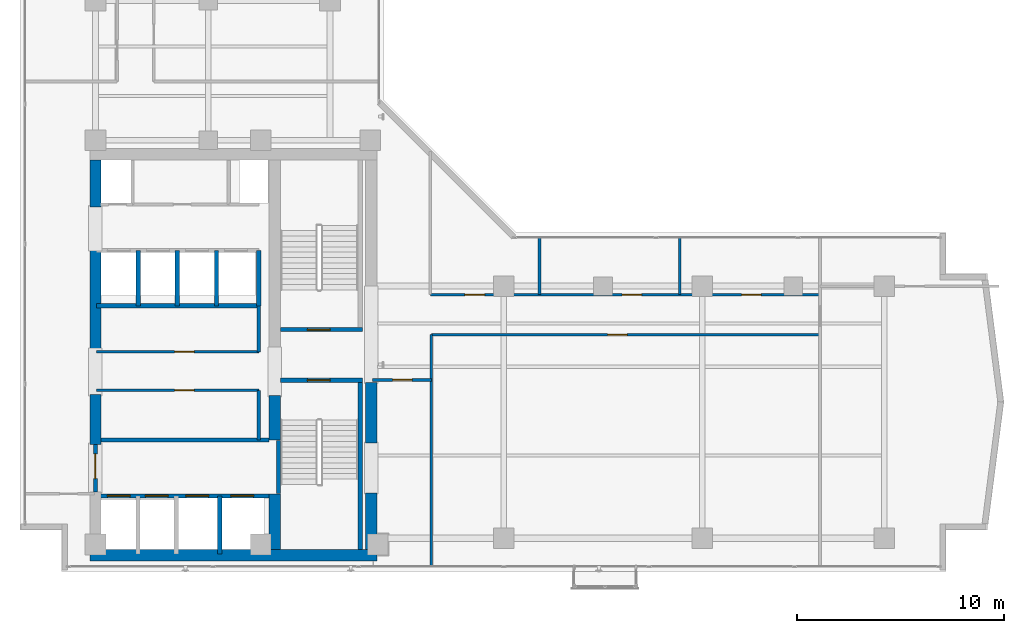
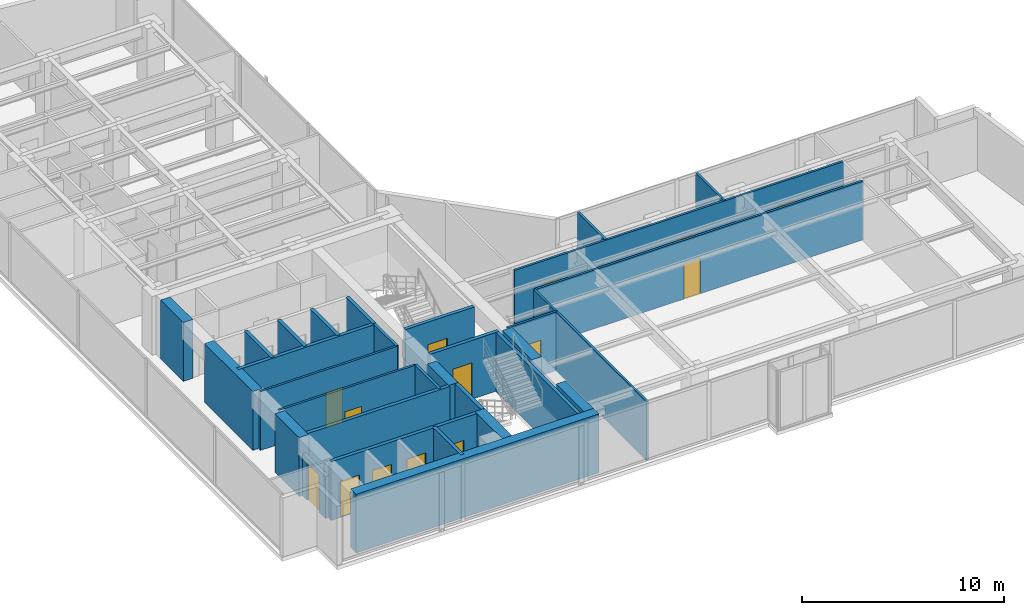
# One storey, part 17 of 23: 31 walls, 14 doors, 14 openings.
"""IFC4 building model written with IfcOpenShell, lengths in metres."""

from ifc_helpers import new_model, si_unit, direction, frame, frame_2d, origin, place, context, subcontext, project, spatial, rectangle, extrude, material, layer, layer_set, type_object, element, fill, save


model = new_model("IFC4")

# Units and contexts
model_context = context("Model", 3, precision=1e-05, world=origin(), true_north=direction((0.0, 1.0)))
body_context = subcontext(model_context, "Body", "Model", "MODEL_VIEW")
ifc_project = project(units=[si_unit("LENGTHUNIT", "METRE"), si_unit("AREAUNIT", "SQUARE_METRE"), si_unit("VOLUMEUNIT", "CUBIC_METRE"), si_unit("PLANEANGLEUNIT", "RADIAN"), si_unit("MASSUNIT", "GRAM", prefix="KILO")], contexts=[model_context])

# Site, building, storey
site_placement = place(None, origin())
site = spatial("IfcSite", under=ifc_project, at=site_placement, CompositionType="ELEMENT")
building_placement = place(site_placement, origin())
building = spatial("IfcBuilding", under=site, at=building_placement, Name="Kolvaren Waterfront Exchange", CompositionType="ELEMENT")
storey_placement = place(building_placement, frame((0.0, 0.0, 250.10009765625)))
storey = spatial("IfcBuildingStorey", under=building, at=storey_placement, Name="L64", CompositionType="ELEMENT", Elevation=250.10009765625)

# Wall, opening, door
ifc_material_1 = material(Name="Precast concrete C40/50", Category="concrete")
ifc_layer_1 = layer(ifc_material_1, 0.199951171875, Name="Precast concrete C40/50")
ifc_layer_set_1 = layer_set([ifc_layer_1], Name="Precast concrete C40/50")
wall_type_1 = type_object("IfcWallType", Name="ARC-FIRE-200", PredefinedType="PARTITIONING", material=ifc_layer_set_1)
wall_1_placement = place(storey_placement, frame((16.39990234375, 12.85009765625, 0.0), z_axis=(0.0, 0.0, 1.0), x_axis=(1.0, 0.0, 0.0)))
wall_1 = element("IfcWall", 1, at=wall_1_placement, inside=storey, type_object=wall_type_1, Name="L64 interior wall PW-L64-ST1-THROAT-S", PredefinedType="PARTITIONING", context=body_context, shape_type="SweptSolid", body=[
    extrude(rectangle(XDim=3.960205078125, YDim=0.199951171875, at=frame_2d((1.97998046875, 0.0))), origin(), (0.0, 0.0, 1.0), 3.559814453125),
])
opening_1_placement = place(wall_1_placement, frame((1.3037109375, 0.0, 0.0)))
opening_1 = element("IfcOpeningElement", 2, at=opening_1_placement, cuts=wall_1, Name="Opening FD2", PredefinedType="OPENING", context=body_context, shape_type="SweptSolid", body=[
    extrude(rectangle(XDim=1.10009765625, YDim=2.199951171875, at=frame_2d((0.550048828125, 1.10009765625))), frame((0.0, 0.10986328125, 0.0), z_axis=(0.0, -1.0, 0.0), x_axis=(1.0, 0.0, 0.0)), (0.0, 0.0, 1.0), 0.219970703125),
])
ifc_material_2 = material(Name="Pressed steel smoke-seal fire door", Category="steel")
door_type_1 = type_object("IfcDoorType", Name="ARC-FD-1100", OperationType="NOTDEFINED", PredefinedType="DOOR", material=ifc_material_2)
door_1_placement = place(opening_1_placement, frame((1.10009765625, 0.0, 0.0), z_axis=(0.0, 0.0, 1.0), x_axis=(-1.0, 0.0, 0.0)))
door_1 = element("IfcDoor", 3, at=door_1_placement, inside=storey, type_object=door_type_1, Name="L64 door DR-L64-ST1-IN (FD2)", OperationType="SINGLE_SWING_RIGHT", OverallHeight=2.199951171875, OverallWidth=1.10009765625, PredefinedType="DOOR", context=body_context, shape_type="SweptSolid", body=[
    extrude(rectangle(XDim=1.10009765625, YDim=2.199951171875, at=frame_2d((0.550048828125, 1.10009765625))), frame((0.0, 0.02490234375, 0.0), z_axis=(0.0, -1.0, 0.0), x_axis=(1.0, 0.0, 0.0)), (0.0, 0.0, 1.0), 0.050048828125),
])
fill(opening_1, door_1)

wall_2_placement = place(storey_placement, frame((16.409912109375, 15.300048828125, 0.0), z_axis=(0.0, 0.0, 1.0), x_axis=(1.0, 0.0, 0.0)))
wall_2 = element("IfcWall", 4, at=wall_2_placement, inside=storey, type_object=wall_type_1, Name="L64 interior wall PW-L64-ST2-THROAT-N", PredefinedType="PARTITIONING", context=body_context, shape_type="SweptSolid", body=[
    extrude(rectangle(XDim=3.9501953125, YDim=0.199951171875, at=frame_2d((1.97509765625, 0.0))), origin(), (0.0, 0.0, 1.0), 3.559814453125),
])
opening_2_placement = place(wall_2_placement, frame((1.293701171875, 0.0, 0.0)))
opening_2 = element("IfcOpeningElement", 5, at=opening_2_placement, cuts=wall_2, Name="Opening FD2", PredefinedType="OPENING", context=body_context, shape_type="SweptSolid", body=[
    extrude(rectangle(XDim=1.10009765625, YDim=2.199951171875, at=frame_2d((0.550048828125, 1.10009765625))), frame((0.0, 0.10986328125, 0.0), z_axis=(0.0, -1.0, 0.0), x_axis=(1.0, 0.0, 0.0)), (0.0, 0.0, 1.0), 0.219970703125),
])
door_2_placement = place(opening_2_placement, origin())
door_2 = element("IfcDoor", 6, at=door_2_placement, inside=storey, type_object=door_type_1, Name="L64 door DR-L64-ST2-IN (FD2)", OperationType="SINGLE_SWING_LEFT", OverallHeight=2.199951171875, OverallWidth=1.10009765625, PredefinedType="DOOR", context=body_context, shape_type="SweptSolid", body=[
    extrude(rectangle(XDim=1.10009765625, YDim=2.199951171875, at=frame_2d((0.550048828125, 1.10009765625))), frame((0.0, 0.02490234375, 0.0), z_axis=(0.0, -1.0, 0.0), x_axis=(1.0, 0.0, 0.0)), (0.0, 0.0, 1.0), 0.050048828125),
])
fill(opening_2, door_2)

# Wall
wall_3_placement = place(storey_placement, frame((7.5, 9.949951171875, 0.0), z_axis=(0.0, 0.0, 1.0), x_axis=(1.0, 0.0, 0.0)))
element("IfcWall", 7, at=wall_3_placement, inside=storey, type_object=wall_type_1, Name="L64 interior wall PW-L64-FF-N", PredefinedType="PARTITIONING", context=body_context, shape_type="SweptSolid", body=[
    extrude(rectangle(XDim=8.35009765625, YDim=0.199951171875, at=frame_2d((4.175048828125, 0.0))), origin(), (0.0, 0.0, 1.0), 3.559814453125),
])

# Wall, opening, door
wall_4_placement = place(storey_placement, frame((7.449951171875, 7.449951171875, 0.0), z_axis=(0.0, 0.0, 1.0), x_axis=(0.0, 1.0, 0.0)))
wall_4 = element("IfcWall", 8, at=wall_4_placement, inside=storey, type_object=wall_type_1, Name="L64 interior wall PW-L64-FF-W-DOOR", PredefinedType="PARTITIONING", context=body_context, shape_type="SweptSolid", body=[
    extrude(rectangle(XDim=2.300048828125, YDim=0.199951171875, at=frame_2d((1.14990234375, 0.0))), origin(), (0.0, 0.0, 1.0), 2.539794921875),
])
opening_3_placement = place(wall_4_placement, frame((0.63330078125, 0.0, 0.0)))
opening_3 = element("IfcOpeningElement", 9, at=opening_3_placement, cuts=wall_4, Name="Opening FD3", PredefinedType="OPENING", context=body_context, shape_type="SweptSolid", body=[
    extrude(rectangle(XDim=1.199951171875, YDim=2.25, at=frame_2d((0.60009765625, 1.125))), frame((0.0, 0.10986328125, 0.0), z_axis=(0.0, -1.0, 0.0), x_axis=(1.0, 0.0, 0.0)), (0.0, 0.0, 1.0), 0.219970703125),
])
ifc_material_3 = material(Name="Pressed steel fire door", Category="steel")
door_type_2 = type_object("IfcDoorType", Name="ARC-FD-1200", OperationType="NOTDEFINED", PredefinedType="DOOR", material=ifc_material_3)
door_3_placement = place(opening_3_placement, frame((1.199951171875, 0.0, 0.0), z_axis=(0.0, 0.0, 1.0), x_axis=(-1.0, 0.0, 0.0)))
door_3 = element("IfcDoor", 10, at=door_3_placement, inside=storey, type_object=door_type_2, Name="L64 door DR-L64-FF-OUT (FD3)", OperationType="SINGLE_SWING_RIGHT", OverallHeight=2.25, OverallWidth=1.199951171875, PredefinedType="DOOR", context=body_context, shape_type="SweptSolid", body=[
    extrude(rectangle(XDim=1.199951171875, YDim=2.25, at=frame_2d((0.60009765625, 1.125))), frame((0.0, 0.02490234375, 0.0), z_axis=(0.0, -1.0, 0.0), x_axis=(1.0, 0.0, 0.0)), (0.0, 0.0, 1.0), 0.050048828125),
])
fill(opening_3, door_3)

ifc_material_4 = material(Name="Acoustic gypsum steel stud", Category="steel")
ifc_layer_2 = layer(ifc_material_4, 0.125, Name="Acoustic gypsum steel stud")
ifc_layer_set_2 = layer_set([ifc_layer_2], Name="Acoustic gypsum steel stud")
wall_type_2 = type_object("IfcWallType", Name="ARC-PART-125", PredefinedType="PARTITIONING", material=ifc_layer_set_2)
wall_5_placement = place(storey_placement, frame((7.5, 12.360107421875, 0.0), z_axis=(0.0, 0.0, 1.0), x_axis=(1.0, 0.0, 0.0)))
wall_5 = element("IfcWall", 11, at=wall_5_placement, inside=storey, type_object=wall_type_2, Name="L64 interior wall PW-L64-REC-HI-S", PredefinedType="PARTITIONING", context=body_context, shape_type="SweptSolid", body=[
    extrude(rectangle(XDim=7.85009765625, YDim=0.125, at=frame_2d((3.925048828125, 0.0))), origin(), (0.0, 0.0, 1.0), 3.559814453125),
])
opening_4_placement = place(wall_5_placement, frame((3.77490234375, 0.0, 0.0)))
opening_4 = element("IfcOpeningElement", 12, at=opening_4_placement, cuts=wall_5, Name="Opening D02", PredefinedType="OPENING", context=body_context, shape_type="SweptSolid", body=[
    extrude(rectangle(XDim=0.949951171875, YDim=2.14990234375, at=frame_2d((0.47509765625, 1.074951171875))), frame((0.0, 0.072509765625, 0.0), z_axis=(0.0, -1.0, 0.0), x_axis=(1.0, 0.0, 0.0)), (0.0, 0.0, 1.0), 0.14501953125),
])
ifc_material_5 = material(Name="Oak veneer acoustic timber", Category="wood")
door_type_3 = type_object("IfcDoorType", Name="ARC-DR-950", OperationType="NOTDEFINED", PredefinedType="DOOR", material=ifc_material_5)
door_4_placement = place(opening_4_placement, origin())
door_4 = element("IfcDoor", 13, at=door_4_placement, inside=storey, type_object=door_type_3, Name="L64 door DR-L64-REC-HI-D1 (D02)", OperationType="SINGLE_SWING_LEFT", OverallHeight=2.14990234375, OverallWidth=0.949951171875, PredefinedType="DOOR", context=body_context, shape_type="SweptSolid", body=[
    extrude(rectangle(XDim=0.949951171875, YDim=2.14990234375, at=frame_2d((0.47509765625, 1.074951171875))), frame((0.0, 0.02490234375, 0.0), z_axis=(0.0, -1.0, 0.0), x_axis=(1.0, 0.0, 0.0)), (0.0, 0.0, 1.0), 0.050048828125),
])
fill(opening_4, door_4)

wall_6_placement = place(storey_placement, frame((7.5, 14.219970703125, 0.0), z_axis=(0.0, 0.0, 1.0), x_axis=(1.0, 0.0, 0.0)))
wall_6 = element("IfcWall", 14, at=wall_6_placement, inside=storey, type_object=wall_type_2, Name="L64 interior wall PW-L64-REC-HI-N", PredefinedType="PARTITIONING", context=body_context, shape_type="SweptSolid", body=[
    extrude(rectangle(XDim=7.85009765625, YDim=0.125, at=frame_2d((3.925048828125, 0.0))), origin(), (0.0, 0.0, 1.0), 3.559814453125),
])
opening_5_placement = place(wall_6_placement, frame((3.77490234375, 0.0, 0.0)))
opening_5 = element("IfcOpeningElement", 15, at=opening_5_placement, cuts=wall_6, Name="Opening D02", PredefinedType="OPENING", context=body_context, shape_type="SweptSolid", body=[
    extrude(rectangle(XDim=0.949951171875, YDim=2.14990234375, at=frame_2d((0.47509765625, 1.074951171875))), frame((0.0, 0.072509765625, 0.0), z_axis=(0.0, -1.0, 0.0), x_axis=(1.0, 0.0, 0.0)), (0.0, 0.0, 1.0), 0.14501953125),
])
door_5_placement = place(opening_5_placement, origin())
door_5 = element("IfcDoor", 16, at=door_5_placement, inside=storey, type_object=door_type_3, Name="L64 door DR-L64-REC-HI-D2 (D02)", OperationType="SINGLE_SWING_RIGHT", OverallHeight=2.14990234375, OverallWidth=0.949951171875, PredefinedType="DOOR", context=body_context, shape_type="SweptSolid", body=[
    extrude(rectangle(XDim=0.949951171875, YDim=2.14990234375, at=frame_2d((0.47509765625, 1.074951171875))), frame((0.0, 0.02490234375, 0.0), z_axis=(0.0, -1.0, 0.0), x_axis=(1.0, 0.0, 0.0)), (0.0, 0.0, 1.0), 0.050048828125),
])
fill(opening_5, door_5)

wall_7_placement = place(storey_placement, frame((20.85009765625, 12.860107421875, 0.0), z_axis=(0.0, 0.0, 1.0), x_axis=(1.0, 0.0, 0.0)))
wall_7 = element("IfcWall", 17, at=wall_7_placement, inside=storey, type_object=wall_type_2, Name="L64 interior wall PW-L64-SWST3-N", PredefinedType="PARTITIONING", context=body_context, shape_type="SweptSolid", body=[
    extrude(rectangle(XDim=2.849853515625, YDim=0.125, at=frame_2d((1.4248046875, 0.0))), origin(), (0.0, 0.0, 1.0), 3.559814453125),
])
opening_6_placement = place(wall_7_placement, frame((0.971435546875, 0.0, 0.0)))
opening_6 = element("IfcOpeningElement", 18, at=opening_6_placement, cuts=wall_7, Name="Opening D02", PredefinedType="OPENING", context=body_context, shape_type="SweptSolid", body=[
    extrude(rectangle(XDim=0.949951171875, YDim=2.14990234375, at=frame_2d((0.47509765625, 1.074951171875))), frame((0.0, 0.072509765625, 0.0), z_axis=(0.0, -1.0, 0.0), x_axis=(1.0, 0.0, 0.0)), (0.0, 0.0, 1.0), 0.14501953125),
])
door_6_placement = place(opening_6_placement, origin())
door_6 = element("IfcDoor", 19, at=door_6_placement, inside=storey, type_object=door_type_3, Name="L64 door DR-L64-SWST3-D (D02)", OperationType="SINGLE_SWING_RIGHT", OverallHeight=2.14990234375, OverallWidth=0.949951171875, PredefinedType="DOOR", context=body_context, shape_type="SweptSolid", body=[
    extrude(rectangle(XDim=0.949951171875, YDim=2.14990234375, at=frame_2d((0.47509765625, 1.074951171875))), frame((0.0, 0.02490234375, 0.0), z_axis=(0.0, -1.0, 0.0), x_axis=(1.0, 0.0, 0.0)), (0.0, 0.0, 1.0), 0.050048828125),
])
fill(opening_6, door_6)

# Wall
wall_8_placement = place(storey_placement, frame((23.699951171875, 3.840087890625, 0.0), z_axis=(0.0, 0.0, 1.0), x_axis=(0.0, 1.0, 0.0)))
element("IfcWall", 20, at=wall_8_placement, inside=storey, type_object=wall_type_2, Name="L64 interior wall PW-L64-ES-W0", PredefinedType="PARTITIONING", context=body_context, shape_type="SweptSolid", body=[
    extrude(rectangle(XDim=11.2099609375, YDim=0.125, at=frame_2d((5.60498046875, 0.0))), origin(), (0.0, 0.0, 1.0), 3.559814453125),
])

# Wall, opening, door
wall_9_placement = place(storey_placement, frame((23.699951171875, 15.050048828125, 0.0), z_axis=(0.0, 0.0, 1.0), x_axis=(1.0, 0.0, 0.0)))
wall_9 = element("IfcWall", 21, at=wall_9_placement, inside=storey, type_object=wall_type_2, Name="L64 interior wall PW-L64-ES-CORR", PredefinedType="PARTITIONING", context=body_context, shape_type="SweptSolid", body=[
    extrude(rectangle(XDim=18.800048828125, YDim=0.125, at=frame_2d((9.39990234375, 0.0))), origin(), (0.0, 0.0, 1.0), 3.559814453125),
])
opening_7_placement = place(wall_9_placement, frame((8.52001953125, 0.0, 0.0)))
opening_7 = element("IfcOpeningElement", 22, at=opening_7_placement, cuts=wall_9, Name="Opening D02", PredefinedType="OPENING", context=body_context, shape_type="SweptSolid", body=[
    extrude(rectangle(XDim=0.949951171875, YDim=2.14990234375, at=frame_2d((0.47509765625, 1.074951171875))), frame((0.0, 0.072509765625, 0.0), z_axis=(0.0, -1.0, 0.0), x_axis=(1.0, 0.0, 0.0)), (0.0, 0.0, 1.0), 0.14501953125),
])
door_7_placement = place(opening_7_placement, origin())
door_7 = element("IfcDoor", 23, at=door_7_placement, inside=storey, type_object=door_type_3, Name="L64 door DR-L64-ES-D-1 (D02)", OperationType="SINGLE_SWING_LEFT", OverallHeight=2.14990234375, OverallWidth=0.949951171875, PredefinedType="DOOR", context=body_context, shape_type="SweptSolid", body=[
    extrude(rectangle(XDim=0.949951171875, YDim=2.14990234375, at=frame_2d((0.47509765625, 1.074951171875))), frame((0.0, 0.02490234375, 0.0), z_axis=(0.0, -1.0, 0.0), x_axis=(1.0, 0.0, 0.0)), (0.0, 0.0, 1.0), 0.050048828125),
])
fill(opening_7, door_7)

# Wall, openings, doors
wall_10_placement = place(storey_placement, frame((23.64990234375, 16.989990234375, 0.0), z_axis=(0.0, 0.0, 1.0), x_axis=(1.0, 0.0, 0.0)))
wall_10 = element("IfcWall", 24, at=wall_10_placement, inside=storey, type_object=wall_type_2, Name="L64 interior wall PW-L64-EN-CORR", PredefinedType="PARTITIONING", context=body_context, shape_type="SweptSolid", body=[
    extrude(rectangle(XDim=18.85009765625, YDim=0.125, at=frame_2d((9.425048828125, 0.0))), origin(), (0.0, 0.0, 1.0), 3.559814453125),
])
opening_8_placement = place(wall_10_placement, frame((1.6708984375, 0.0, 0.0)))
opening_8 = element("IfcOpeningElement", 25, at=opening_8_placement, cuts=wall_10, Name="Opening D02", PredefinedType="OPENING", context=body_context, shape_type="SweptSolid", body=[
    extrude(rectangle(XDim=0.949951171875, YDim=2.14990234375, at=frame_2d((0.47509765625, 1.074951171875))), frame((0.0, 0.072509765625, 0.0), z_axis=(0.0, -1.0, 0.0), x_axis=(1.0, 0.0, 0.0)), (0.0, 0.0, 1.0), 0.14501953125),
])
opening_9_placement = place(wall_10_placement, frame((9.27294921875, 0.0, 0.0)))
opening_9 = element("IfcOpeningElement", 26, at=opening_9_placement, cuts=wall_10, Name="Opening D02", PredefinedType="OPENING", context=body_context, shape_type="SweptSolid", body=[
    extrude(rectangle(XDim=0.949951171875, YDim=2.14990234375, at=frame_2d((0.47509765625, 1.074951171875))), frame((0.0, 0.072509765625, 0.0), z_axis=(0.0, -1.0, 0.0), x_axis=(1.0, 0.0, 0.0)), (0.0, 0.0, 1.0), 0.14501953125),
])
opening_10_placement = place(wall_10_placement, frame((15.052001953125, 0.0, 0.0)))
opening_10 = element("IfcOpeningElement", 27, at=opening_10_placement, cuts=wall_10, Name="Opening D02", PredefinedType="OPENING", context=body_context, shape_type="SweptSolid", body=[
    extrude(rectangle(XDim=0.949951171875, YDim=2.14990234375, at=frame_2d((0.47509765625, 1.074951171875))), frame((0.0, 0.072509765625, 0.0), z_axis=(0.0, -1.0, 0.0), x_axis=(1.0, 0.0, 0.0)), (0.0, 0.0, 1.0), 0.14501953125),
])
door_8_placement = place(opening_8_placement, origin())
door_8 = element("IfcDoor", 28, at=door_8_placement, inside=storey, type_object=door_type_3, Name="L64 door DR-L64-EN-D-1 (D02)", OperationType="SINGLE_SWING_RIGHT", OverallHeight=2.14990234375, OverallWidth=0.949951171875, PredefinedType="DOOR", context=body_context, shape_type="SweptSolid", body=[
    extrude(rectangle(XDim=0.949951171875, YDim=2.14990234375, at=frame_2d((0.47509765625, 1.074951171875))), frame((0.0, 0.02490234375, 0.0), z_axis=(0.0, -1.0, 0.0), x_axis=(1.0, 0.0, 0.0)), (0.0, 0.0, 1.0), 0.050048828125),
])
fill(opening_8, door_8)
door_9_placement = place(opening_9_placement, origin())
door_9 = element("IfcDoor", 29, at=door_9_placement, inside=storey, type_object=door_type_3, Name="L64 door DR-L64-EN-D-2 (D02)", OperationType="SINGLE_SWING_LEFT", OverallHeight=2.14990234375, OverallWidth=0.949951171875, PredefinedType="DOOR", context=body_context, shape_type="SweptSolid", body=[
    extrude(rectangle(XDim=0.949951171875, YDim=2.14990234375, at=frame_2d((0.47509765625, 1.074951171875))), frame((0.0, 0.02490234375, 0.0), z_axis=(0.0, -1.0, 0.0), x_axis=(1.0, 0.0, 0.0)), (0.0, 0.0, 1.0), 0.050048828125),
])
fill(opening_9, door_9)
door_10_placement = place(opening_10_placement, origin())
door_10 = element("IfcDoor", 30, at=door_10_placement, inside=storey, type_object=door_type_3, Name="L64 door DR-L64-EN-D-3 (D02)", OperationType="SINGLE_SWING_RIGHT", OverallHeight=2.14990234375, OverallWidth=0.949951171875, PredefinedType="DOOR", context=body_context, shape_type="SweptSolid", body=[
    extrude(rectangle(XDim=0.949951171875, YDim=2.14990234375, at=frame_2d((0.47509765625, 1.074951171875))), frame((0.0, 0.02490234375, 0.0), z_axis=(0.0, -1.0, 0.0), x_axis=(1.0, 0.0, 0.0)), (0.0, 0.0, 1.0), 0.050048828125),
])
fill(opening_10, door_10)

# Walls
for number, where, z_axis, x_axis, name in (
    (31, (28.929931640625, 16.989990234375, 0.0), (0.0, 0.0, 1.0), (0.0, 1.0, 0.0), "L64 interior wall PW-L64-EN-DIV-1"),
    (32, (35.7099609375, 16.989990234375, 0.0), (0.0, 0.0, 1.0), (0.0, 1.0, 0.0), "L64 interior wall PW-L64-EN-DIV-2"),
):
    element("IfcWall", number, at=place(storey_placement, frame(where, z_axis=z_axis, x_axis=x_axis)), inside=storey, type_object=wall_type_2, Name=name, PredefinedType="PARTITIONING", context=body_context, shape_type="SweptSolid", body=[
        extrude(rectangle(XDim=2.77001953125, YDim=0.125, at=frame_2d((1.385009765625, 0.0))), origin(), (0.0, 0.0, 1.0), 3.559814453125),
    ])
ifc_material_6 = material(Name="Gypsum fireboard steel stud", Category="steel")
ifc_layer_3 = layer(ifc_material_6, 0.14990234375, Name="Gypsum fireboard steel stud")
ifc_layer_set_3 = layer_set([ifc_layer_3], Name="Gypsum fireboard steel stud")
wall_type_3 = type_object("IfcWallType", Name="ARC-PART-150", PredefinedType="PARTITIONING", material=ifc_layer_set_3)
wall_11_placement = place(storey_placement, frame((15.35009765625, 9.949951171875, 0.0), z_axis=(0.0, 0.0, 1.0), x_axis=(0.0, 1.0, 0.0)))
element("IfcWall", 33, at=wall_11_placement, inside=storey, type_object=wall_type_3, Name="L64 interior wall PW-L64-REC-HI-E1", PredefinedType="PARTITIONING", context=body_context, shape_type="SweptSolid", body=[
    extrude(rectangle(XDim=2.41015625, YDim=0.14990234375, at=frame_2d((1.205078125, 0.0))), origin(), (0.0, 0.0, 1.0), 3.559814453125),
])
wall_12_placement = place(storey_placement, frame((15.35009765625, 14.219970703125, 0.0), z_axis=(0.0, 0.0, 1.0), x_axis=(0.0, 1.0, 0.0)))
element("IfcWall", 34, at=wall_12_placement, inside=storey, type_object=wall_type_3, Name="L64 interior wall PW-L64-REC-HI-E2", PredefinedType="PARTITIONING", context=body_context, shape_type="SweptSolid", body=[
    extrude(rectangle(XDim=2.22998046875, YDim=0.14990234375, at=frame_2d((1.114990234375, 0.0))), origin(), (0.0, 0.0, 1.0), 3.559814453125),
])
ifc_material_7 = material(Name="Concrete C40/50", Category="concrete")
ifc_layer_4 = layer(ifc_material_7, 0.199951171875, Name="Concrete C40/50")
ifc_layer_set_4 = layer_set([ifc_layer_4], Name="Concrete C40/50")
wall_type_4 = type_object("IfcWallType", Name="ARC-SHAFT-200", PredefinedType="PARTITIONING", material=ifc_layer_set_4)
wall_13_placement = place(storey_placement, frame((16.300048828125, 7.360107421875, 0.0), z_axis=(0.0, 0.0, 1.0), x_axis=(0.0, 1.0, 0.0)))
element("IfcWall", 35, at=wall_13_placement, inside=storey, type_object=wall_type_4, Name="L64 structural stairwell wall PW-L64-ST1-W", PredefinedType="SHEAR", context=body_context, shape_type="SweptSolid", body=[
    extrude(rectangle(XDim=2.579833984375, YDim=0.199951171875, at=frame_2d((1.2900390625, 0.0))), origin(), (0.0, 0.0, 1.0), 3.559814453125),
])
wall_14_placement = place(storey_placement, frame((20.260009765625, 4.659912109375, 0.0), z_axis=(0.0, 0.0, 1.0), x_axis=(0.0, 1.0, 0.0)))
element("IfcWall", 36, at=wall_14_placement, inside=storey, type_object=wall_type_4, Name="L64 structural stairwell wall PW-L64-ST1-E", PredefinedType="SHEAR", context=body_context, shape_type="SweptSolid", body=[
    extrude(rectangle(XDim=8.090087890625, YDim=0.199951171875, at=frame_2d((4.044921875, 0.0))), origin(), (0.0, 0.0, 1.0), 3.559814453125),
])

# Wall, openings, doors
wall_15_placement = place(storey_placement, frame((7.5, 7.25, 0.0), z_axis=(0.0, 0.0, 1.0), x_axis=(1.0, 0.0, 0.0)))
wall_15 = element("IfcWall", 37, at=wall_15_placement, inside=storey, type_object=wall_type_4, Name="L64 interior wall PW-L64-FF-S", PredefinedType="PARTITIONING", context=body_context, shape_type="SweptSolid", body=[
    extrude(rectangle(XDim=8.35009765625, YDim=0.199951171875, at=frame_2d((4.175048828125, 0.0))), origin(), (0.0, 0.0, 1.0), 3.559814453125),
])
opening_11_placement = place(wall_15_placement, frame((0.530029296875, 0.0, 0.0)))
opening_11 = element("IfcOpeningElement", 38, at=opening_11_placement, cuts=wall_15, Name="Opening LD1", PredefinedType="OPENING", context=body_context, shape_type="SweptSolid", body=[
    extrude(rectangle(XDim=1.10009765625, YDim=2.199951171875, at=frame_2d((0.550048828125, 1.10009765625))), frame((0.0, 0.10986328125, 0.0), z_axis=(0.0, -1.0, 0.0), x_axis=(1.0, 0.0, 0.0)), (0.0, 0.0, 1.0), 0.219970703125),
])
opening_12_placement = place(wall_15_placement, frame((2.3701171875, 0.0, 0.0)))
opening_12 = element("IfcOpeningElement", 39, at=opening_12_placement, cuts=wall_15, Name="Opening LD1", PredefinedType="OPENING", context=body_context, shape_type="SweptSolid", body=[
    extrude(rectangle(XDim=1.10009765625, YDim=2.199951171875, at=frame_2d((0.550048828125, 1.10009765625))), frame((0.0, 0.10986328125, 0.0), z_axis=(0.0, -1.0, 0.0), x_axis=(1.0, 0.0, 0.0)), (0.0, 0.0, 1.0), 0.219970703125),
])
opening_13_placement = place(wall_15_placement, frame((4.330078125, 0.0, 0.0)))
opening_13 = element("IfcOpeningElement", 40, at=opening_13_placement, cuts=wall_15, Name="Opening LD1", PredefinedType="OPENING", context=body_context, shape_type="SweptSolid", body=[
    extrude(rectangle(XDim=1.10009765625, YDim=2.199951171875, at=frame_2d((0.550048828125, 1.10009765625))), frame((0.0, 0.10986328125, 0.0), z_axis=(0.0, -1.0, 0.0), x_axis=(1.0, 0.0, 0.0)), (0.0, 0.0, 1.0), 0.219970703125),
])
opening_14_placement = place(wall_15_placement, frame((6.5, 0.0, 0.0)))
opening_14 = element("IfcOpeningElement", 41, at=opening_14_placement, cuts=wall_15, Name="Opening LD1", PredefinedType="OPENING", context=body_context, shape_type="SweptSolid", body=[
    extrude(rectangle(XDim=1.10009765625, YDim=2.199951171875, at=frame_2d((0.550048828125, 1.10009765625))), frame((0.0, 0.10986328125, 0.0), z_axis=(0.0, -1.0, 0.0), x_axis=(1.0, 0.0, 0.0)), (0.0, 0.0, 1.0), 0.219970703125),
])
ifc_material_8 = material(Name="Stainless steel sliding landing door", Category="steel")
door_type_4 = type_object("IfcDoorType", Name="ARC-LD-FF", OperationType="SLIDING_TO_LEFT", PredefinedType="DOOR", material=ifc_material_8)
door_11_placement = place(opening_11_placement, origin())
door_11 = element("IfcDoor", 42, at=door_11_placement, inside=storey, type_object=door_type_4, Name="L64 door LD-L64-FFL1 (LD1)", OperationType="SLIDING_TO_LEFT", OverallHeight=2.199951171875, OverallWidth=1.10009765625, PredefinedType="DOOR", context=body_context, shape_type="SweptSolid", body=[
    extrude(rectangle(XDim=1.10009765625, YDim=2.199951171875, at=frame_2d((0.550048828125, 1.10009765625))), frame((0.0, 0.02490234375, 0.0), z_axis=(0.0, -1.0, 0.0), x_axis=(1.0, 0.0, 0.0)), (0.0, 0.0, 1.0), 0.050048828125),
])
fill(opening_11, door_11)
door_12_placement = place(opening_12_placement, origin())
door_12 = element("IfcDoor", 43, at=door_12_placement, inside=storey, type_object=door_type_4, Name="L64 door LD-L64-FFL2 (LD1)", OperationType="SLIDING_TO_LEFT", OverallHeight=2.199951171875, OverallWidth=1.10009765625, PredefinedType="DOOR", context=body_context, shape_type="SweptSolid", body=[
    extrude(rectangle(XDim=1.10009765625, YDim=2.199951171875, at=frame_2d((0.550048828125, 1.10009765625))), frame((0.0, 0.02490234375, 0.0), z_axis=(0.0, -1.0, 0.0), x_axis=(1.0, 0.0, 0.0)), (0.0, 0.0, 1.0), 0.050048828125),
])
fill(opening_12, door_12)
door_13_placement = place(opening_13_placement, origin())
door_13 = element("IfcDoor", 44, at=door_13_placement, inside=storey, type_object=door_type_4, Name="L64 door LD-L64-GL1 (LD1)", OperationType="SLIDING_TO_LEFT", OverallHeight=2.199951171875, OverallWidth=1.10009765625, PredefinedType="DOOR", context=body_context, shape_type="SweptSolid", body=[
    extrude(rectangle(XDim=1.10009765625, YDim=2.199951171875, at=frame_2d((0.550048828125, 1.10009765625))), frame((0.0, 0.02490234375, 0.0), z_axis=(0.0, -1.0, 0.0), x_axis=(1.0, 0.0, 0.0)), (0.0, 0.0, 1.0), 0.050048828125),
])
fill(opening_13, door_13)
door_14_placement = place(opening_14_placement, origin())
door_14 = element("IfcDoor", 45, at=door_14_placement, inside=storey, type_object=door_type_4, Name="L64 door LD-L64-GL2 (LD1)", OperationType="SLIDING_TO_LEFT", OverallHeight=2.199951171875, OverallWidth=1.10009765625, PredefinedType="DOOR", context=body_context, shape_type="SweptSolid", body=[
    extrude(rectangle(XDim=1.10009765625, YDim=2.199951171875, at=frame_2d((0.550048828125, 1.10009765625))), frame((0.0, 0.02490234375, 0.0), z_axis=(0.0, -1.0, 0.0), x_axis=(1.0, 0.0, 0.0)), (0.0, 0.0, 1.0), 0.050048828125),
])
fill(opening_14, door_14)

# Walls
wall_16_placement = place(storey_placement, frame((13.4599609375, 4.449951171875, 0.0), z_axis=(0.0, 0.0, 1.0), x_axis=(0.0, 1.0, 0.0)))
element("IfcWall", 46, at=wall_16_placement, inside=storey, type_object=wall_type_4, Name="L64 interior wall PW-L64-SH1-DIV-134", PredefinedType="PARTITIONING", context=body_context, shape_type="SweptSolid", body=[
    extrude(rectangle(XDim=2.800048828125, YDim=0.199951171875, at=frame_2d((1.39990234375, 0.0))), origin(), (0.0, 0.0, 1.0), 3.559814453125),
])
wall_17_placement = place(storey_placement, frame((7.5, 16.449951171875, 0.0), z_axis=(0.0, 0.0, 1.0), x_axis=(1.0, 0.0, 0.0)))
element("IfcWall", 47, at=wall_17_placement, inside=storey, type_object=wall_type_4, Name="L64 interior wall PW-L64-REC-PM-N", PredefinedType="PARTITIONING", context=body_context, shape_type="SweptSolid", body=[
    extrude(rectangle(XDim=7.85009765625, YDim=0.199951171875, at=frame_2d((3.925048828125, 0.0))), origin(), (0.0, 0.0, 1.0), 3.559814453125),
])
for number, where, z_axis, x_axis, name in (
    (48, (15.35009765625, 16.449951171875, 0.0), (0.0, 0.0, 1.0), (0.0, 1.0, 0.0), "L64 interior wall PW-L64-PH-E"),
    (49, (9.52001953125, 16.449951171875, 0.0), (0.0, 0.0, 1.0), (0.0, 1.0, 0.0), "L64 interior wall PW-L64-SH4-DIV-95"),
    (50, (11.409912109375, 16.449951171875, 0.0), (0.0, 0.0, 1.0), (0.0, 1.0, 0.0), "L64 interior wall PW-L64-SH4-DIV-114"),
    (51, (13.300048828125, 16.449951171875, 0.0), (0.0, 0.0, 1.0), (0.0, 1.0, 0.0), "L64 interior wall PW-L64-SH4-DIV-133"),
):
    element("IfcWall", number, at=place(storey_placement, frame(where, z_axis=z_axis, x_axis=x_axis)), inside=storey, type_object=wall_type_4, Name=name, PredefinedType="PARTITIONING", context=body_context, shape_type="SweptSolid", body=[
        extrude(rectangle(XDim=2.670166015625, YDim=0.199951171875, at=frame_2d((1.3349609375, 0.0))), origin(), (0.0, 0.0, 1.0), 3.559814453125),
    ])
ifc_material_9 = material(Name="Concrete C50/60", Category="concrete")
ifc_layer_5 = layer(ifc_material_9, 0.550048828125, Name="Concrete C50/60")
ifc_layer_set_5 = layer_set([ifc_layer_5], Name="Concrete C50/60")
wall_type_5 = type_object("IfcWallType", Name="STR-CWALL-550", PredefinedType="SHEAR", material=ifc_layer_set_5)
wall_18_placement = place(storey_placement, frame((7.175048828125, 4.375, 0.0), z_axis=(0.0, 0.0, 1.0), x_axis=(1.0, 0.0, 0.0)))
element("IfcWall", 52, at=wall_18_placement, inside=storey, type_object=wall_type_5, Name="L64 rear-core shear wall S", PredefinedType="SHEAR", context=body_context, shape_type="SweptSolid", body=[
    extrude(rectangle(XDim=13.89990234375, YDim=0.550048828125, at=frame_2d((6.949951171875, 0.0))), origin(), (0.0, 0.0, 1.0), 3.559814453125),
])
wall_19_placement = place(storey_placement, frame((7.449951171875, 9.75, 0.0), z_axis=(0.0, 0.0, 1.0), x_axis=(0.0, 1.0, 0.0)))
element("IfcWall", 53, at=wall_19_placement, inside=storey, type_object=wall_type_5, Name="L64 rear-core shear wall W2A", PredefinedType="SHEAR", context=body_context, shape_type="SweptSolid", body=[
    extrude(rectangle(XDim=2.39990234375, YDim=0.550048828125, at=frame_2d((1.199951171875, 0.0))), origin(), (0.0, 0.0, 1.0), 3.559814453125),
])
wall_20_placement = place(storey_placement, frame((7.449951171875, 14.35009765625, 0.0), z_axis=(0.0, 0.0, 1.0), x_axis=(0.0, 1.0, 0.0)))
element("IfcWall", 54, at=wall_20_placement, inside=storey, type_object=wall_type_5, Name="L64 rear-core shear wall W2B", PredefinedType="SHEAR", context=body_context, shape_type="SweptSolid", body=[
    extrude(rectangle(XDim=4.809814453125, YDim=0.550048828125, at=frame_2d((2.40478515625, 0.0))), origin(), (0.0, 0.0, 1.0), 3.559814453125),
])
wall_21_placement = place(storey_placement, frame((7.449951171875, 21.239990234375, 0.0), z_axis=(0.0, 0.0, 1.0), x_axis=(0.0, 1.0, 0.0)))
element("IfcWall", 55, at=wall_21_placement, inside=storey, type_object=wall_type_5, Name="L64 rear-core shear wall W3", PredefinedType="SHEAR", context=body_context, shape_type="SweptSolid", body=[
    extrude(rectangle(XDim=2.260009765625, YDim=0.550048828125, at=frame_2d((1.1298828125, 0.0))), origin(), (0.0, 0.0, 1.0), 3.559814453125),
])
wall_22_placement = place(storey_placement, frame((20.800048828125, 4.64990234375, 0.0), z_axis=(0.0, 0.0, 1.0), x_axis=(0.0, 1.0, 0.0)))
element("IfcWall", 56, at=wall_22_placement, inside=storey, type_object=wall_type_5, Name="L64 rear-core shear wall E1", PredefinedType="SHEAR", context=body_context, shape_type="SweptSolid", body=[
    extrude(rectangle(XDim=2.75, YDim=0.550048828125, at=frame_2d((1.375, 0.0))), origin(), (0.0, 0.0, 1.0), 3.559814453125),
])
wall_23_placement = place(storey_placement, frame((20.800048828125, 9.800048828125, 0.0), z_axis=(0.0, 0.0, 1.0), x_axis=(0.0, 1.0, 0.0)))
element("IfcWall", 57, at=wall_23_placement, inside=storey, type_object=wall_type_5, Name="L64 rear-core shear wall E2", PredefinedType="SHEAR", context=body_context, shape_type="SweptSolid", body=[
    extrude(rectangle(XDim=2.949951171875, YDim=0.550048828125, at=frame_2d((1.47509765625, 0.0))), origin(), (0.0, 0.0, 1.0), 3.559814453125),
])
wall_24_placement = place(storey_placement, frame((16.125, 4.64990234375, 0.0), z_axis=(0.0, 0.0, 1.0), x_axis=(0.0, 1.0, 0.0)))
element("IfcWall", 58, at=wall_24_placement, inside=storey, type_object=wall_type_5, Name="L64 rear-core shear wall M1", PredefinedType="SHEAR", context=body_context, shape_type="SweptSolid", body=[
    extrude(rectangle(XDim=2.7001953125, YDim=0.550048828125, at=frame_2d((1.35009765625, 0.0))), origin(), (0.0, 0.0, 1.0), 3.559814453125),
])
wall_25_placement = place(storey_placement, frame((16.125, 9.949951171875, 0.0), z_axis=(0.0, 0.0, 1.0), x_axis=(0.0, 1.0, 0.0)))
element("IfcWall", 59, at=wall_25_placement, inside=storey, type_object=wall_type_5, Name="L64 rear-core shear wall M2", PredefinedType="SHEAR", context=body_context, shape_type="SweptSolid", body=[
    extrude(rectangle(XDim=2.150146484375, YDim=0.550048828125, at=frame_2d((1.0751953125, 0.0))), origin(), (0.0, 0.0, 1.0), 3.559814453125),
])

save(model, "model.ifc")
